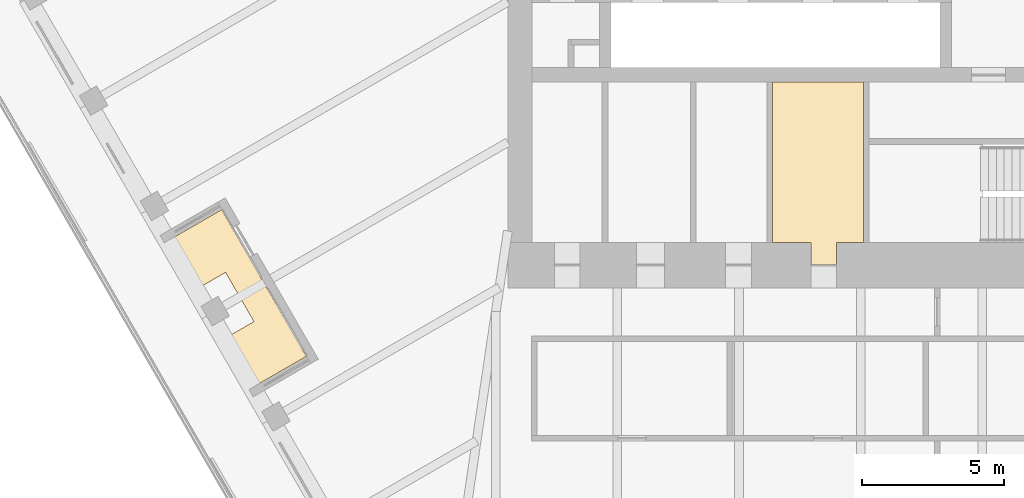
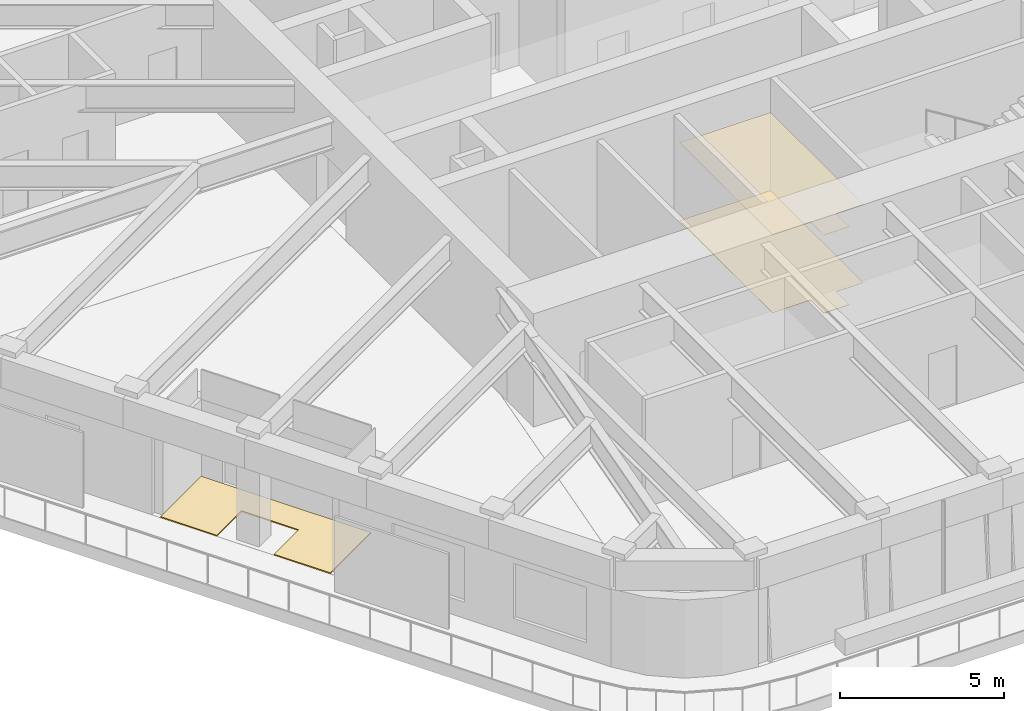
# One storey, part 18 of 20: 3 coverings.
"""IFC4 building model written with IfcOpenShell, lengths in metres."""

import ifcopenshell
import ifcopenshell.guid

model = None  # the IFC model being written
_history = None  # IfcOwnerHistory: only IFC2X3 demands one
_inside = {}  # id of a spatial element -> (the spatial element, [elements in it])
_under = {}  # id of a project, library or spatial element -> (it, [spatial elements below it])
_declared = {}  # id of a project -> (the project, [libraries it declares])
_typed = {}  # id of a type object -> (the type object, [elements of that type])
_made_of = {}  # id of a material, layer set ... -> (it, [elements and type objects made of it])


def new_model(schema):
    """Start an empty IFC model of exactly this schema.

    Asked for "IFC4X3", IfcOpenShell would pick the latest addendum, in which some entities
    have other attributes; the version numbers below select the first issue.
    IFC2X3 requires an IfcOwnerHistory on every rooted entity: one is made here for all.
    """
    global model, _history
    if schema == "IFC4X3":
        model = ifcopenshell.file(schema_version=(4, 3, 0, 0))
    else:
        model = ifcopenshell.file(schema=schema)
    _inside.clear()
    _under.clear()
    _declared.clear()
    _typed.clear()
    _made_of.clear()
    _history = None
    if model.schema == "IFC2X3":
        org = make("IfcOrganization", Name="unknown")
        user = make(
            "IfcPersonAndOrganization",
            ThePerson=make("IfcPerson", FamilyName="unknown"),
            TheOrganization=org,
        )
        app = make(
            "IfcApplication",
            ApplicationDeveloper=org,
            Version="unknown",
            ApplicationFullName="unknown",
            ApplicationIdentifier="unknown",
        )
        _history = make(
            "IfcOwnerHistory",
            OwningUser=user,
            OwningApplication=app,
            ChangeAction="ADDED",
            CreationDate=0,
        )
    return model


def make(cls, **values):
    """One entity of the class cls with the attributes given. An attribute that is None is left unset."""
    return model.create_entity(
        cls, **{name: value for name, value in values.items() if value is not None}
    )


def rooted(cls, **values):
    """An entity with a GlobalId (a new one), such as an element, a storey or a relation."""
    return make(cls, GlobalId=ifcopenshell.guid.new(), OwnerHistory=_history, **values)


def si_unit(unit_type, name, prefix=None):
    """IfcSIUnit, for example si_unit("LENGTHUNIT", "METRE", prefix="MILLI")."""
    return make("IfcSIUnit", UnitType=unit_type, Prefix=prefix, Name=name)


def assignment(units):
    """IfcUnitAssignment: the units of a project."""
    return None if units is None else make("IfcUnitAssignment", Units=units)


def point(xyz):
    """IfcCartesianPoint."""
    return None if xyz is None else make("IfcCartesianPoint", Coordinates=xyz)


def direction(xyz):
    """IfcDirection."""
    return None if xyz is None else make("IfcDirection", DirectionRatios=xyz)


def frame(location, z_axis=None, x_axis=None):
    """IfcAxis2Placement3D, a coordinate frame: its origin and axes. An axis left out is left unset."""
    return make(
        "IfcAxis2Placement3D",
        Location=point(location),
        Axis=direction(z_axis),
        RefDirection=direction(x_axis),
    )


def origin():
    """The frame at (0, 0, 0) with its axes left unset."""
    return frame((0.0, 0.0, 0.0))


def place(relative_to, where):
    """IfcLocalPlacement: puts the frame where relative to a parent placement (None: the world)."""
    return make(
        "IfcLocalPlacement", PlacementRelTo=relative_to, RelativePlacement=where
    )


def context(
    kind, dimensions, precision=None, world=None, true_north=None, identifier=None
):
    """IfcGeometricRepresentationContext, for example the 3D "Model" context."""
    return make(
        "IfcGeometricRepresentationContext",
        ContextIdentifier=identifier,
        ContextType=kind,
        CoordinateSpaceDimension=dimensions,
        Precision=precision,
        WorldCoordinateSystem=world,
        TrueNorth=true_north,
    )


def subcontext(parent, identifier, kind, view, scale=None):
    """IfcGeometricRepresentationSubContext, for example "Body" below "Model"."""
    return make(
        "IfcGeometricRepresentationSubContext",
        ContextIdentifier=identifier,
        ContextType=kind,
        ParentContext=parent,
        TargetScale=scale,
        TargetView=view,
    )


def project(units=None, contexts=None):
    """IfcProject with its units and contexts."""
    return rooted(
        "IfcProject",
        Name="project",
        RepresentationContexts=contexts,
        UnitsInContext=assignment(units),
    )


def spatial(cls, under=None, at=None, **own):
    """A site, building, storey or space (cls), placed at a placement, below another one or the project."""
    s = rooted(cls, ObjectPlacement=at, **own)
    if under is not None:
        _under.setdefault(under.id(), (under, []))[1].append(s)
    return s


def polyline(points):
    """IfcPolyline through the points."""
    return make("IfcPolyline", Points=[point(p) for p in points])


def outline(outer, holes=None, kind="AREA"):
    """IfcArbitraryClosedProfileDef: a profile drawn as a closed curve; with holes, ...WithVoids."""
    if holes is None:
        return make("IfcArbitraryClosedProfileDef", ProfileType=kind, OuterCurve=outer)
    return make(
        "IfcArbitraryProfileDefWithVoids",
        ProfileType=kind,
        OuterCurve=outer,
        InnerCurves=holes,
    )


def extrude(swept, where, along, depth):
    """IfcExtrudedAreaSolid: the profile swept, set in the frame where, extruded along a direction by depth."""
    return make(
        "IfcExtrudedAreaSolid",
        SweptArea=swept,
        Position=where,
        ExtrudedDirection=direction(along),
        Depth=depth,
    )


def shape(context_of_items, identifier, shape_type, items):
    """IfcShapeRepresentation: the items that make up one representation, for example the "Body"."""
    return make(
        "IfcShapeRepresentation",
        ContextOfItems=context_of_items,
        RepresentationIdentifier=identifier,
        RepresentationType=shape_type,
        Items=items,
    )


def material(Name=None, Category=None):
    """IfcMaterial."""
    return make("IfcMaterial", Name=Name, Category=Category)


def layer(
    of_material, thickness, ventilated=None, Name=None, Category=None, Priority=None
):
    """IfcMaterialLayer: one layer of a wall or slab, of a material (None: an air gap)."""
    return make(
        "IfcMaterialLayer",
        Material=of_material,
        LayerThickness=thickness,
        IsVentilated=ventilated,
        Name=Name,
        Category=Category,
        Priority=Priority,
    )


def layer_set(layers, Name=None):
    """IfcMaterialLayerSet."""
    return make("IfcMaterialLayerSet", MaterialLayers=layers, LayerSetName=Name)


def made_of(thing, what):
    """Note that an element or type object is made of a material, layer set ...; save() writes the relation."""
    if what is not None:
        _made_of.setdefault(what.id(), (what, []))[1].append(thing)
    return thing


def type_object(cls, material=None, **own):
    """A type object (cls), such as IfcWallType, which elements share."""
    return made_of(rooted(cls, **own), material)


def element(
    cls,
    number,
    at=None,
    inside=None,
    cuts=None,
    type_object=None,
    material=None,
    context=None,
    identifier="Body",
    shape_type=None,
    held_by="IfcProductDefinitionShape",
    body=None,
    shapes=None,
    **own,
):
    """One element of the class cls, such as IfcWall. Its Tag is "e" and its number.

    at: its placement. inside: the storey or other place that contains it. cuts: it is an
    opening in that element (IfcRelVoidsElement). A single representation is given by context,
    identifier, shape_type and body (its items); several are given by shapes. held_by: the class
    of the entity that holds the representations. save() writes the other relations.
    """
    e = rooted(cls, Tag="e%d" % number, ObjectPlacement=at, **own)
    if body is not None:
        shapes = [shape(context, identifier, shape_type, body)]
    if shapes is not None:
        e.Representation = make(held_by, Representations=shapes)
    if inside is not None:
        _inside.setdefault(inside.id(), (inside, []))[1].append(e)
    if cuts is not None:
        rooted(
            "IfcRelVoidsElement", RelatingBuildingElement=cuts, RelatedOpeningElement=e
        )
    if type_object is not None:
        _typed.setdefault(type_object.id(), (type_object, []))[1].append(e)
    return made_of(e, material)


def aggregate(whole, parts):
    """IfcRelAggregates: a whole, such as a stair, and the parts it consists of."""
    return rooted("IfcRelAggregates", RelatingObject=whole, RelatedObjects=parts)


def save(model, path):
    """Write the relations noted so far, then the file.

    IfcRelAggregates (storeys below a building ...), IfcRelContainedInSpatialStructure (elements
    in a storey), IfcRelDefinesByType, IfcRelAssociatesMaterial and IfcRelDeclares: one each for
    every whole, place, type object, material and project.
    """
    for whole, parts in _under.values():
        aggregate(whole, parts)
    for where, things in _inside.values():
        rooted(
            "IfcRelContainedInSpatialStructure",
            RelatedElements=things,
            RelatingStructure=where,
        )
    for kind, things in _typed.values():
        rooted("IfcRelDefinesByType", RelatedObjects=things, RelatingType=kind)
    for what, things in _made_of.values():
        rooted("IfcRelAssociatesMaterial", RelatedObjects=things, RelatingMaterial=what)
    for by, libraries in _declared.values():
        rooted("IfcRelDeclares", RelatingContext=by, RelatedDefinitions=libraries)
    model.write(path)


model = new_model("IFC4")

# Units and contexts
model_context = context("Model", 3, precision=1e-05, world=origin(), true_north=direction((0.0, 1.0)))
body_context = subcontext(model_context, "Body", "Model", "MODEL_VIEW")
ifc_project = project(units=[si_unit("LENGTHUNIT", "METRE"), si_unit("AREAUNIT", "SQUARE_METRE"), si_unit("VOLUMEUNIT", "CUBIC_METRE"), si_unit("PLANEANGLEUNIT", "RADIAN"), si_unit("MASSUNIT", "GRAM", prefix="KILO")], contexts=[model_context])

# Site, building, storey
site_placement = place(None, origin())
site = spatial("IfcSite", under=ifc_project, at=site_placement, CompositionType="ELEMENT")
building_placement = place(site_placement, origin())
building = spatial("IfcBuilding", under=site, at=building_placement, Name="Tarfa Lantern Tower", CompositionType="ELEMENT")
storey_placement = place(building_placement, frame((0.0, 0.0, 382.89990234375)))
storey = spatial("IfcBuildingStorey", under=building, at=storey_placement, Name="L87", CompositionType="ELEMENT", Elevation=382.89990234375)

# Coverings
ifc_material_1 = material(Name="Moisture-resistant plasterboard", Category="finish")
ifc_layer_1 = layer(ifc_material_1, 0.014892578125)
ifc_layer_set_1 = layer_set([ifc_layer_1], Name="CL2 MOISTURE-RESISTANT PLASTERBOARD CEILING 15")
covering_type_1 = type_object("IfcCoveringType", Name="CL2 MOISTURE-RESISTANT PLASTERBOARD CEILING 15", PredefinedType="CEILING", material=ifc_layer_set_1)
covering_1_placement = place(storey_placement, frame((0.0, 0.0, 2.900146484375)))
element("IfcCovering", 1, at=covering_1_placement, inside=storey, type_object=covering_type_1, Name="Ceiling L87-13", PredefinedType="CEILING", context=body_context, shape_type="SweptSolid", body=[
    extrude(outline(polyline([(-0.85009765625, -10.699951171875), (0.10009765625, -10.699951171875), (0.10009765625, -5.050048828125), (-3.10009765625, -5.050048828125), (-3.10009765625, -10.699951171875), (-1.75, -10.699951171875), (-1.75, -11.5), (-0.85009765625, -11.5), (-0.85009765625, -10.699951171875)])), origin(), (0.0, 0.0, 1.0), 0.014892578125),
])
ifc_material_2 = material(Name="Porcelain floor tile", Category="finish")
ifc_layer_2 = layer(ifc_material_2, 0.011962890625)
ifc_layer_set_2 = layer_set([ifc_layer_2], Name="FL3 CERAMIC TILE 12")
covering_type_2 = type_object("IfcCoveringType", Name="FL3 CERAMIC TILE 12", PredefinedType="FLOORING", material=ifc_layer_set_2)
covering_2_placement = place(storey_placement, origin())
element("IfcCovering", 2, at=covering_2_placement, inside=storey, type_object=covering_type_2, Name="Floor finish L87-13", PredefinedType="FLOORING", context=body_context, shape_type="SweptSolid", body=[
    extrude(outline(polyline([(-0.85009765625, -10.699951171875), (0.10009765625, -10.699951171875), (0.10009765625, -5.050048828125), (-3.10009765625, -5.050048828125), (-3.10009765625, -10.699951171875), (-1.75, -10.699951171875), (-1.75, -11.5), (-0.85009765625, -11.5), (-0.85009765625, -10.699951171875)])), origin(), (0.0, 0.0, 1.0), 0.01220703125),
])
ifc_material_3 = material(Name="Porcelain pavers on pedestals", Category="ceramic")
ifc_layer_3 = layer(ifc_material_3, 0.0400390625)
ifc_layer_set_3 = layer_set([ifc_layer_3], Name="LP1 LOGGIA PAVING 40")
covering_type_3 = type_object("IfcCoveringType", Name="LP1 LOGGIA PAVING 40", PredefinedType="FLOORING", material=ifc_layer_set_3)
covering_3_placement = place(storey_placement, origin())
element("IfcCovering", 3, at=covering_3_placement, inside=storey, type_object=covering_type_3, Name="Terrace paving SW", PredefinedType="FLOORING", context=body_context, shape_type="SweptSolid", body=[
    extrude(outline(polyline([(-24.6572265625, -10.79248046875), (-22.509521484375, -9.552490234375), (-19.52734375, -14.717529296875), (-21.67529296875, -15.95751953125), (-22.666259765625, -14.240966796875), (-21.3671875, -13.490966796875), (-22.3671875, -11.759033203125), (-23.666259765625, -12.509033203125), (-24.6572265625, -10.79248046875)])), origin(), (0.0, 0.0, 1.0), 0.0400390625),
])

save(model, "model.ifc")
